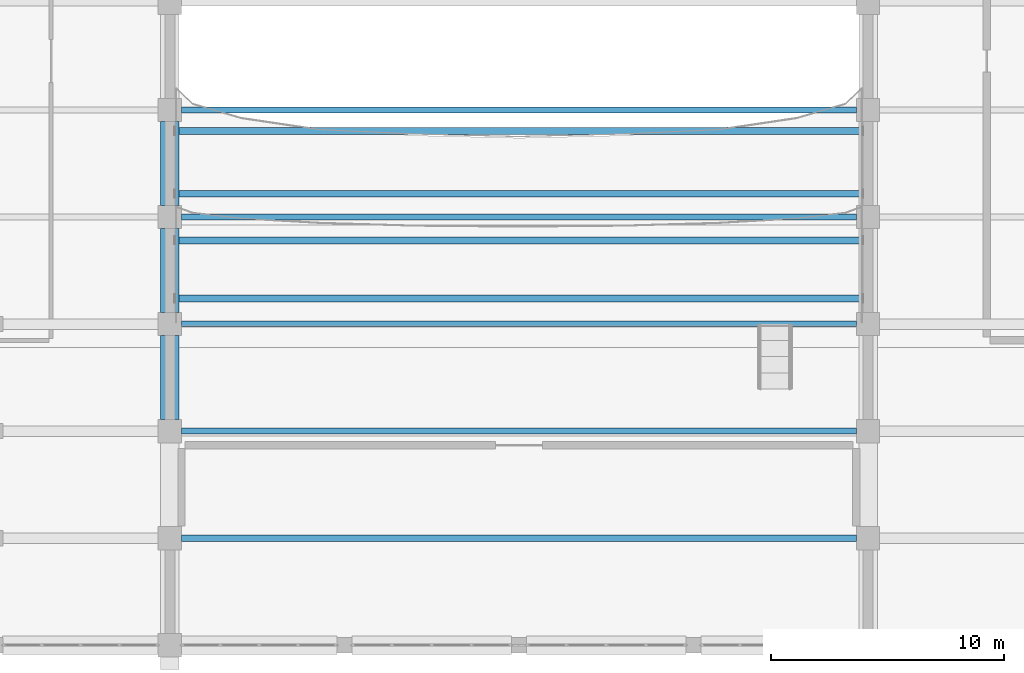
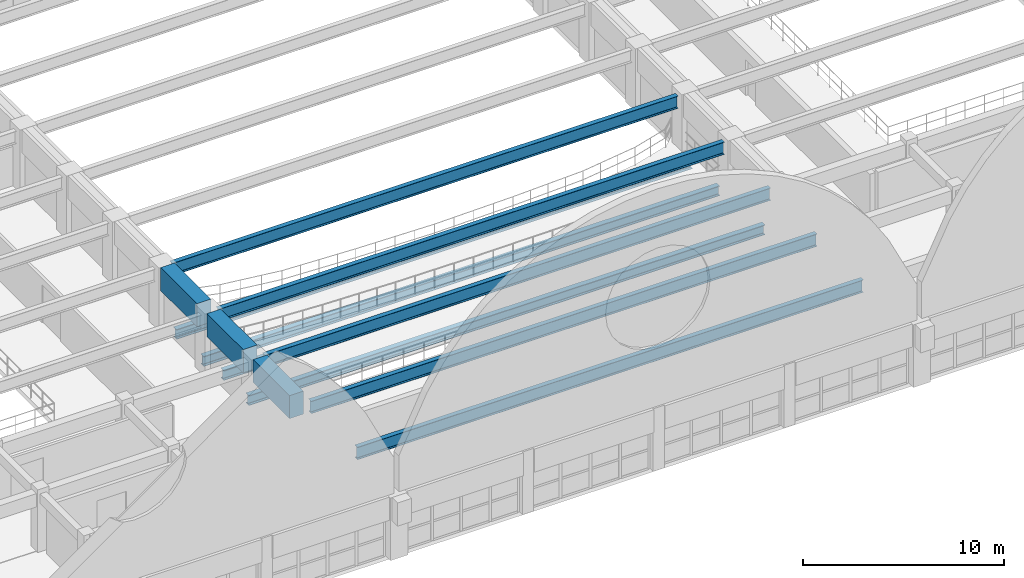
# One storey, part 21 of 74: 12 beams.
"""IFC4 building model written with IfcOpenShell, lengths in metres."""

import ifcopenshell
import ifcopenshell.guid

model = None  # the IFC model being written
_history = None  # IfcOwnerHistory: only IFC2X3 demands one
_inside = {}  # id of a spatial element -> (the spatial element, [elements in it])
_under = {}  # id of a project, library or spatial element -> (it, [spatial elements below it])
_declared = {}  # id of a project -> (the project, [libraries it declares])
_typed = {}  # id of a type object -> (the type object, [elements of that type])
_made_of = {}  # id of a material, layer set ... -> (it, [elements and type objects made of it])


def new_model(schema):
    """Start an empty IFC model of exactly this schema.

    Asked for "IFC4X3", IfcOpenShell would pick the latest addendum, in which some entities
    have other attributes; the version numbers below select the first issue.
    IFC2X3 requires an IfcOwnerHistory on every rooted entity: one is made here for all.
    """
    global model, _history
    if schema == "IFC4X3":
        model = ifcopenshell.file(schema_version=(4, 3, 0, 0))
    else:
        model = ifcopenshell.file(schema=schema)
    _inside.clear()
    _under.clear()
    _declared.clear()
    _typed.clear()
    _made_of.clear()
    _history = None
    if model.schema == "IFC2X3":
        org = make("IfcOrganization", Name="unknown")
        user = make(
            "IfcPersonAndOrganization",
            ThePerson=make("IfcPerson", FamilyName="unknown"),
            TheOrganization=org,
        )
        app = make(
            "IfcApplication",
            ApplicationDeveloper=org,
            Version="unknown",
            ApplicationFullName="unknown",
            ApplicationIdentifier="unknown",
        )
        _history = make(
            "IfcOwnerHistory",
            OwningUser=user,
            OwningApplication=app,
            ChangeAction="ADDED",
            CreationDate=0,
        )
    return model


def make(cls, **values):
    """One entity of the class cls with the attributes given. An attribute that is None is left unset."""
    return model.create_entity(
        cls, **{name: value for name, value in values.items() if value is not None}
    )


def rooted(cls, **values):
    """An entity with a GlobalId (a new one), such as an element, a storey or a relation."""
    return make(cls, GlobalId=ifcopenshell.guid.new(), OwnerHistory=_history, **values)


def si_unit(unit_type, name, prefix=None):
    """IfcSIUnit, for example si_unit("LENGTHUNIT", "METRE", prefix="MILLI")."""
    return make("IfcSIUnit", UnitType=unit_type, Prefix=prefix, Name=name)


def assignment(units):
    """IfcUnitAssignment: the units of a project."""
    return None if units is None else make("IfcUnitAssignment", Units=units)


def point(xyz):
    """IfcCartesianPoint."""
    return None if xyz is None else make("IfcCartesianPoint", Coordinates=xyz)


def direction(xyz):
    """IfcDirection."""
    return None if xyz is None else make("IfcDirection", DirectionRatios=xyz)


def frame(location, z_axis=None, x_axis=None):
    """IfcAxis2Placement3D, a coordinate frame: its origin and axes. An axis left out is left unset."""
    return make(
        "IfcAxis2Placement3D",
        Location=point(location),
        Axis=direction(z_axis),
        RefDirection=direction(x_axis),
    )


def frame_2d(location, x_axis=None):
    """IfcAxis2Placement2D, a coordinate frame in the plane: its origin and x axis."""
    return make(
        "IfcAxis2Placement2D", Location=point(location), RefDirection=direction(x_axis)
    )


def origin():
    """The frame at (0, 0, 0) with its axes left unset."""
    return frame((0.0, 0.0, 0.0))


def origin_2d():
    """The frame at (0, 0) in the plane with its x axis left unset."""
    return frame_2d((0.0, 0.0))


def place(relative_to, where):
    """IfcLocalPlacement: puts the frame where relative to a parent placement (None: the world)."""
    return make(
        "IfcLocalPlacement", PlacementRelTo=relative_to, RelativePlacement=where
    )


def context(
    kind, dimensions, precision=None, world=None, true_north=None, identifier=None
):
    """IfcGeometricRepresentationContext, for example the 3D "Model" context."""
    return make(
        "IfcGeometricRepresentationContext",
        ContextIdentifier=identifier,
        ContextType=kind,
        CoordinateSpaceDimension=dimensions,
        Precision=precision,
        WorldCoordinateSystem=world,
        TrueNorth=true_north,
    )


def subcontext(parent, identifier, kind, view, scale=None):
    """IfcGeometricRepresentationSubContext, for example "Body" below "Model"."""
    return make(
        "IfcGeometricRepresentationSubContext",
        ContextIdentifier=identifier,
        ContextType=kind,
        ParentContext=parent,
        TargetScale=scale,
        TargetView=view,
    )


def project(units=None, contexts=None):
    """IfcProject with its units and contexts."""
    return rooted(
        "IfcProject",
        Name="project",
        RepresentationContexts=contexts,
        UnitsInContext=assignment(units),
    )


def spatial(cls, under=None, at=None, **own):
    """A site, building, storey or space (cls), placed at a placement, below another one or the project."""
    s = rooted(cls, ObjectPlacement=at, **own)
    if under is not None:
        _under.setdefault(under.id(), (under, []))[1].append(s)
    return s


def profile(cls, at=None, kind="AREA", **sizes):
    """A parametric profile (cls). Its sizes go by their IFC names, for example OverallWidth=200.0."""
    return make(cls, ProfileType=kind, Position=at, **sizes)


def rectangle(**sizes):
    """IfcRectangleProfileDef."""
    return profile("IfcRectangleProfileDef", **sizes)


def i_section(**sizes):
    """IfcIShapeProfileDef."""
    return profile("IfcIShapeProfileDef", **sizes)


def extrude(swept, where, along, depth):
    """IfcExtrudedAreaSolid: the profile swept, set in the frame where, extruded along a direction by depth."""
    return make(
        "IfcExtrudedAreaSolid",
        SweptArea=swept,
        Position=where,
        ExtrudedDirection=direction(along),
        Depth=depth,
    )


def shape(context_of_items, identifier, shape_type, items):
    """IfcShapeRepresentation: the items that make up one representation, for example the "Body"."""
    return make(
        "IfcShapeRepresentation",
        ContextOfItems=context_of_items,
        RepresentationIdentifier=identifier,
        RepresentationType=shape_type,
        Items=items,
    )


def material(Name=None, Category=None):
    """IfcMaterial."""
    return make("IfcMaterial", Name=Name, Category=Category)


def material_profile(
    of_material, cross_section, Name=None, Category=None, Priority=None
):
    """IfcMaterialProfile: a cross section and its material."""
    return make(
        "IfcMaterialProfile",
        Name=Name,
        Material=of_material,
        Profile=cross_section,
        Priority=Priority,
        Category=Category,
    )


def profile_set(profiles, Name=None, composite=None):
    """IfcMaterialProfileSet."""
    return make(
        "IfcMaterialProfileSet",
        Name=Name,
        MaterialProfiles=profiles,
        CompositeProfile=composite,
    )


def made_of(thing, what):
    """Note that an element or type object is made of a material, layer set ...; save() writes the relation."""
    if what is not None:
        _made_of.setdefault(what.id(), (what, []))[1].append(thing)
    return thing


def type_object(cls, material=None, **own):
    """A type object (cls), such as IfcWallType, which elements share."""
    return made_of(rooted(cls, **own), material)


def element(
    cls,
    number,
    at=None,
    inside=None,
    cuts=None,
    type_object=None,
    material=None,
    context=None,
    identifier="Body",
    shape_type=None,
    held_by="IfcProductDefinitionShape",
    body=None,
    shapes=None,
    **own,
):
    """One element of the class cls, such as IfcWall. Its Tag is "e" and its number.

    at: its placement. inside: the storey or other place that contains it. cuts: it is an
    opening in that element (IfcRelVoidsElement). A single representation is given by context,
    identifier, shape_type and body (its items); several are given by shapes. held_by: the class
    of the entity that holds the representations. save() writes the other relations.
    """
    e = rooted(cls, Tag="e%d" % number, ObjectPlacement=at, **own)
    if body is not None:
        shapes = [shape(context, identifier, shape_type, body)]
    if shapes is not None:
        e.Representation = make(held_by, Representations=shapes)
    if inside is not None:
        _inside.setdefault(inside.id(), (inside, []))[1].append(e)
    if cuts is not None:
        rooted(
            "IfcRelVoidsElement", RelatingBuildingElement=cuts, RelatedOpeningElement=e
        )
    if type_object is not None:
        _typed.setdefault(type_object.id(), (type_object, []))[1].append(e)
    return made_of(e, material)


def aggregate(whole, parts):
    """IfcRelAggregates: a whole, such as a stair, and the parts it consists of."""
    return rooted("IfcRelAggregates", RelatingObject=whole, RelatedObjects=parts)


def save(model, path):
    """Write the relations noted so far, then the file.

    IfcRelAggregates (storeys below a building ...), IfcRelContainedInSpatialStructure (elements
    in a storey), IfcRelDefinesByType, IfcRelAssociatesMaterial and IfcRelDeclares: one each for
    every whole, place, type object, material and project.
    """
    for whole, parts in _under.values():
        aggregate(whole, parts)
    for where, things in _inside.values():
        rooted(
            "IfcRelContainedInSpatialStructure",
            RelatedElements=things,
            RelatingStructure=where,
        )
    for kind, things in _typed.values():
        rooted("IfcRelDefinesByType", RelatedObjects=things, RelatingType=kind)
    for what, things in _made_of.values():
        rooted("IfcRelAssociatesMaterial", RelatedObjects=things, RelatingMaterial=what)
    for by, libraries in _declared.values():
        rooted("IfcRelDeclares", RelatingContext=by, RelatedDefinitions=libraries)
    model.write(path)


model = new_model("IFC4")

# Units and contexts
model_context = context("Model", 3, precision=1e-05, world=origin(), true_north=direction((0.0, 1.0)))
body_context = subcontext(model_context, "Body", "Model", "MODEL_VIEW")
ifc_project = project(units=[si_unit("LENGTHUNIT", "METRE"), si_unit("AREAUNIT", "SQUARE_METRE"), si_unit("VOLUMEUNIT", "CUBIC_METRE"), si_unit("PLANEANGLEUNIT", "RADIAN"), si_unit("MASSUNIT", "GRAM", prefix="KILO")], contexts=[model_context])

# Site, building, storey
site_placement = place(None, origin())
site = spatial("IfcSite", under=ifc_project, at=site_placement, CompositionType="ELEMENT")
building_placement = place(site_placement, origin())
building = spatial("IfcBuilding", under=site, at=building_placement, Name="Muzn Square Opera House", CompositionType="ELEMENT")
storey_placement = place(building_placement, frame((0.0, 0.0, 14.199951171875)))
storey = spatial("IfcBuildingStorey", under=building, at=storey_placement, Name="L03", CompositionType="ELEMENT", Elevation=14.199951171875)

# Beams
ifc_material_1 = material(Name="Steel S355", Category="steel")
ifc_material_profile_1 = material_profile(ifc_material_1, i_section(OverallWidth=0.300048828125, OverallDepth=0.60009765625, WebThickness=0.015380859375, FlangeThickness=0.030029296875, FilletRadius=0.027099609375, at=origin_2d()), Name="HEB 600", Category="steel")
ifc_profile_set_1 = profile_set([ifc_material_profile_1], Name="Steel S355")
beam_type_1 = type_object("IfcBeamType", Name="Auditorium Upper Raker Beam HEB600", PredefinedType="USERDEFINED", material=ifc_profile_set_1)
for number, where, z_axis, x_axis, name in (
    (1, (73.199951171875, 36.89990234375, 0.219970703125), (1.0, 0.0, 0.0), (0.0, 1.0, 0.0), "Amphitheatre Circle Raker Beam RAKER-L03-01"),
    (2, (73.199951171875, 39.39990234375, 0.219970703125), (1.0, 0.0, 0.0), (0.0, 1.0, 0.0), "Amphitheatre Circle Raker Beam RAKER-L03-02"),
    (3, (73.199951171875, 41.39990234375, -0.139892578125), (1.0, 0.0, 0.0), (0.0, 1.0, 0.0), "Amphitheatre Circle Raker Beam RAKER-L03-03"),
    (4, (73.199951171875, 44.10009765625, -0.139892578125), (1.0, 0.0, 0.0), (0.0, 1.0, 0.0), "Amphitheatre Circle Raker Beam RAKER-L03-04"),
):
    element("IfcBeam", number, at=place(storey_placement, frame(where, z_axis=z_axis, x_axis=x_axis)), inside=storey, type_object=beam_type_1, Name=name, ObjectType="RAKER", PredefinedType="USERDEFINED", context=body_context, shape_type="SweptSolid", body=[
        extrude(i_section(OverallWidth=0.300048828125, OverallDepth=0.60009765625, WebThickness=0.015380859375, FlangeThickness=0.030029296875, FilletRadius=0.027099609375, at=origin_2d()), origin(), (0.0, 0.0, 1.0), 29.60009765625),
    ])
ifc_material_profile_2 = material_profile(ifc_material_1, i_section(OverallWidth=0.264892578125, OverallDepth=0.7529296875, WebThickness=0.01318359375, FlangeThickness=0.01708984375, FilletRadius=0.01708984375, at=origin_2d()), Name="IPE 750x147", Category="steel")
ifc_profile_set_2 = profile_set([ifc_material_profile_2], Name="Steel S355")
beam_type_2 = type_object("IfcBeamType", Name="Long Span Foyer Beam IPE750", PredefinedType="BEAM", material=ifc_profile_set_2)
for number, where, z_axis, x_axis, name in (
    (5, (73.491943359375, 26.60009765625, 3.1435546875), (1.0, 0.0, 0.0), (0.0, 1.0, 0.0), "Primary Girder BM-L03-BM-LF750-735_266_1025_266-2421"),
    (6, (73.491943359375, 31.199951171875, 3.1435546875), (1.0, 0.0, 0.0), (0.0, 1.0, 0.0), "Primary Girder BM-L03-BM-LF750-735_312_1025_312-2428"),
    (7, (73.491943359375, 35.800048828125, 3.1435546875), (1.0, 0.0, 0.0), (0.0, 1.0, 0.0), "Primary Girder BM-L03-BM-LF750-735_358_1025_358-2437"),
    (8, (73.491943359375, 40.39990234375, 3.1435546875), (1.0, 0.0, 0.0), (0.0, 1.0, 0.0), "Primary Girder BM-L03-BM-LF750-735_404_1025_404-2443"),
    (9, (73.491943359375, 45.0, 3.1435546875), (1.0, 0.0, 0.0), (0.0, 1.0, 0.0), "Primary Girder BM-L03-BM-LF750-735_450_1025_450-2446"),
):
    element("IfcBeam", number, at=place(storey_placement, frame(where, z_axis=z_axis, x_axis=x_axis)), inside=storey, type_object=beam_type_2, Name=name, PredefinedType="BEAM", context=body_context, shape_type="SweptSolid", body=[
        extrude(i_section(OverallWidth=0.264892578125, OverallDepth=0.7529296875, WebThickness=0.01318359375, FlangeThickness=0.01708984375, FilletRadius=0.01708984375, at=origin_2d()), origin(), (0.0, 0.0, 1.0), 29.01611328125),
    ])
ifc_material_2 = material(Name="Concrete C45/55", Category="concrete")
ifc_material_profile_3 = material_profile(ifc_material_2, rectangle(XDim=0.800048828125, YDim=1.39990234375, at=origin_2d()), Name="RCB 800x1400", Category="concrete")
ifc_profile_set_3 = profile_set([ifc_material_profile_3], Name="Concrete C45/55")
beam_type_3 = type_object("IfcBeamType", Name="Vault Springing Girder 800x1400", PredefinedType="BEAM", material=ifc_profile_set_3)
beam_placement = place(storey_placement, frame((73.0, 31.69189453125, 3.10009765625), z_axis=(0.0, 1.0, 0.0), x_axis=(-1.0, 0.0, 0.0)))
element("IfcBeam", 10, at=beam_placement, inside=storey, type_object=beam_type_3, Name="Vault Springing Girder BM-L03-BM-VS1400-730_317_730_353-2575", PredefinedType="BEAM", context=body_context, shape_type="SweptSolid", body=[
    extrude(rectangle(XDim=0.800048828125, YDim=1.39990234375, at=origin_2d()), origin(), (0.0, 0.0, 1.0), 3.6162109375),
])
for number, where, z_axis, x_axis, name in (
    (11, (73.0, 36.2919921875, 3.10009765625), (0.0, 1.0, 0.0), (-1.0, 0.0, 0.0), "Vault Springing Girder BM-L03-BM-VS1400-730_363_730_399-2576"),
    (12, (73.0, 40.89208984375, 3.10009765625), (0.0, 1.0, 0.0), (-1.0, 0.0, 0.0), "Vault Springing Girder BM-L03-BM-VS1400-730_409_730_445-2577"),
):
    element("IfcBeam", number, at=place(storey_placement, frame(where, z_axis=z_axis, x_axis=x_axis)), inside=storey, type_object=beam_type_3, Name=name, PredefinedType="BEAM", context=body_context, shape_type="SweptSolid", body=[
        extrude(rectangle(XDim=0.800048828125, YDim=1.39990234375, at=origin_2d()), origin(), (0.0, 0.0, 1.0), 3.615966796875),
    ])

save(model, "model.ifc")
